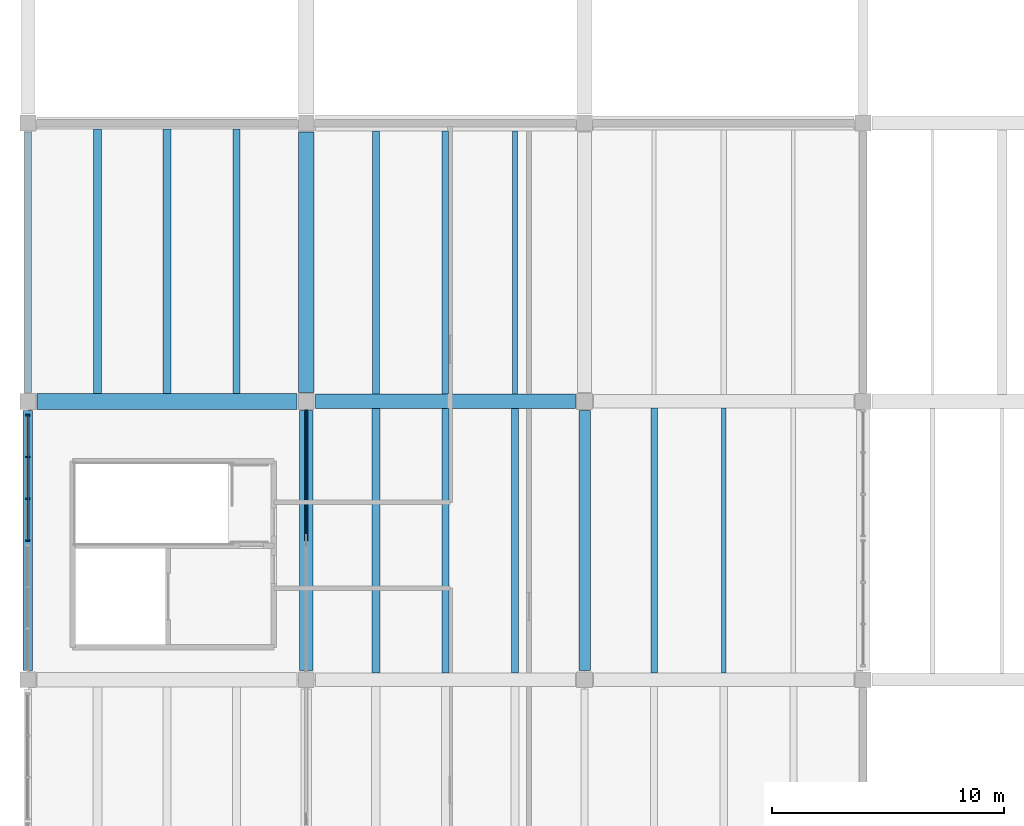
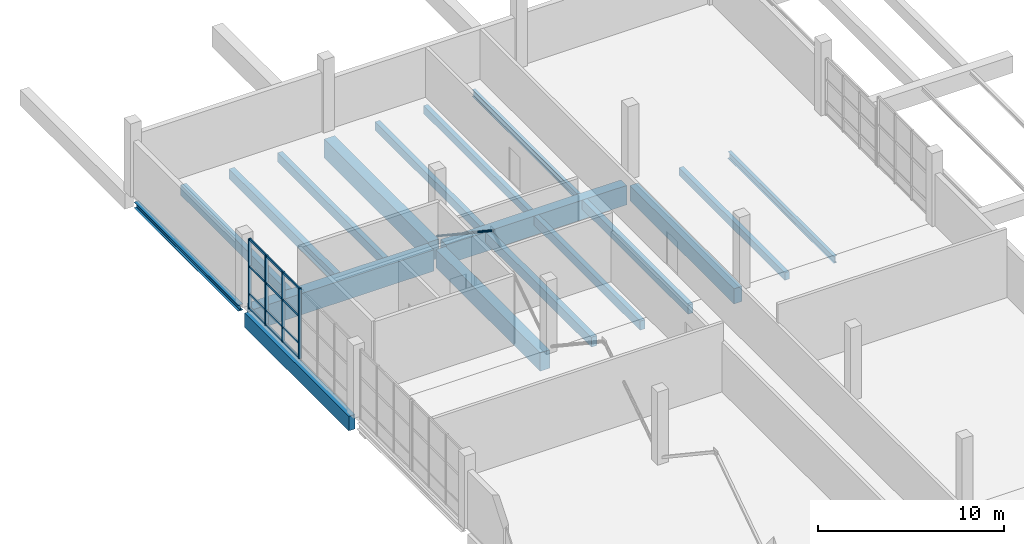
# One storey, part 14 of 49: 18 beams, 9 members, 1 element without a shape of its own.
"""IFC4 building model written with IfcOpenShell, lengths in metres."""

import ifcopenshell
import ifcopenshell.guid

model = None  # the IFC model being written
_history = None  # IfcOwnerHistory: only IFC2X3 demands one
_inside = {}  # id of a spatial element -> (the spatial element, [elements in it])
_under = {}  # id of a project, library or spatial element -> (it, [spatial elements below it])
_declared = {}  # id of a project -> (the project, [libraries it declares])
_typed = {}  # id of a type object -> (the type object, [elements of that type])
_made_of = {}  # id of a material, layer set ... -> (it, [elements and type objects made of it])


def new_model(schema):
    """Start an empty IFC model of exactly this schema.

    Asked for "IFC4X3", IfcOpenShell would pick the latest addendum, in which some entities
    have other attributes; the version numbers below select the first issue.
    IFC2X3 requires an IfcOwnerHistory on every rooted entity: one is made here for all.
    """
    global model, _history
    if schema == "IFC4X3":
        model = ifcopenshell.file(schema_version=(4, 3, 0, 0))
    else:
        model = ifcopenshell.file(schema=schema)
    _inside.clear()
    _under.clear()
    _declared.clear()
    _typed.clear()
    _made_of.clear()
    _history = None
    if model.schema == "IFC2X3":
        org = make("IfcOrganization", Name="unknown")
        user = make(
            "IfcPersonAndOrganization",
            ThePerson=make("IfcPerson", FamilyName="unknown"),
            TheOrganization=org,
        )
        app = make(
            "IfcApplication",
            ApplicationDeveloper=org,
            Version="unknown",
            ApplicationFullName="unknown",
            ApplicationIdentifier="unknown",
        )
        _history = make(
            "IfcOwnerHistory",
            OwningUser=user,
            OwningApplication=app,
            ChangeAction="ADDED",
            CreationDate=0,
        )
    return model


def make(cls, **values):
    """One entity of the class cls with the attributes given. An attribute that is None is left unset."""
    return model.create_entity(
        cls, **{name: value for name, value in values.items() if value is not None}
    )


def rooted(cls, **values):
    """An entity with a GlobalId (a new one), such as an element, a storey or a relation."""
    return make(cls, GlobalId=ifcopenshell.guid.new(), OwnerHistory=_history, **values)


def si_unit(unit_type, name, prefix=None):
    """IfcSIUnit, for example si_unit("LENGTHUNIT", "METRE", prefix="MILLI")."""
    return make("IfcSIUnit", UnitType=unit_type, Prefix=prefix, Name=name)


def assignment(units):
    """IfcUnitAssignment: the units of a project."""
    return None if units is None else make("IfcUnitAssignment", Units=units)


def point(xyz):
    """IfcCartesianPoint."""
    return None if xyz is None else make("IfcCartesianPoint", Coordinates=xyz)


def direction(xyz):
    """IfcDirection."""
    return None if xyz is None else make("IfcDirection", DirectionRatios=xyz)


def frame(location, z_axis=None, x_axis=None):
    """IfcAxis2Placement3D, a coordinate frame: its origin and axes. An axis left out is left unset."""
    return make(
        "IfcAxis2Placement3D",
        Location=point(location),
        Axis=direction(z_axis),
        RefDirection=direction(x_axis),
    )


def frame_2d(location, x_axis=None):
    """IfcAxis2Placement2D, a coordinate frame in the plane: its origin and x axis."""
    return make(
        "IfcAxis2Placement2D", Location=point(location), RefDirection=direction(x_axis)
    )


def origin():
    """The frame at (0, 0, 0) with its axes left unset."""
    return frame((0.0, 0.0, 0.0))


def origin_2d():
    """The frame at (0, 0) in the plane with its x axis left unset."""
    return frame_2d((0.0, 0.0))


def place(relative_to, where):
    """IfcLocalPlacement: puts the frame where relative to a parent placement (None: the world)."""
    return make(
        "IfcLocalPlacement", PlacementRelTo=relative_to, RelativePlacement=where
    )


def context(
    kind, dimensions, precision=None, world=None, true_north=None, identifier=None
):
    """IfcGeometricRepresentationContext, for example the 3D "Model" context."""
    return make(
        "IfcGeometricRepresentationContext",
        ContextIdentifier=identifier,
        ContextType=kind,
        CoordinateSpaceDimension=dimensions,
        Precision=precision,
        WorldCoordinateSystem=world,
        TrueNorth=true_north,
    )


def subcontext(parent, identifier, kind, view, scale=None):
    """IfcGeometricRepresentationSubContext, for example "Body" below "Model"."""
    return make(
        "IfcGeometricRepresentationSubContext",
        ContextIdentifier=identifier,
        ContextType=kind,
        ParentContext=parent,
        TargetScale=scale,
        TargetView=view,
    )


def project(units=None, contexts=None):
    """IfcProject with its units and contexts."""
    return rooted(
        "IfcProject",
        Name="project",
        RepresentationContexts=contexts,
        UnitsInContext=assignment(units),
    )


def spatial(cls, under=None, at=None, **own):
    """A site, building, storey or space (cls), placed at a placement, below another one or the project."""
    s = rooted(cls, ObjectPlacement=at, **own)
    if under is not None:
        _under.setdefault(under.id(), (under, []))[1].append(s)
    return s


def profile(cls, at=None, kind="AREA", **sizes):
    """A parametric profile (cls). Its sizes go by their IFC names, for example OverallWidth=200.0."""
    return make(cls, ProfileType=kind, Position=at, **sizes)


def rectangle(**sizes):
    """IfcRectangleProfileDef."""
    return profile("IfcRectangleProfileDef", **sizes)


def hollow_circle(**sizes):
    """IfcCircleHollowProfileDef."""
    return profile("IfcCircleHollowProfileDef", **sizes)


def i_section(**sizes):
    """IfcIShapeProfileDef."""
    return profile("IfcIShapeProfileDef", **sizes)


def extrude(swept, where, along, depth):
    """IfcExtrudedAreaSolid: the profile swept, set in the frame where, extruded along a direction by depth."""
    return make(
        "IfcExtrudedAreaSolid",
        SweptArea=swept,
        Position=where,
        ExtrudedDirection=direction(along),
        Depth=depth,
    )


def shape(context_of_items, identifier, shape_type, items):
    """IfcShapeRepresentation: the items that make up one representation, for example the "Body"."""
    return make(
        "IfcShapeRepresentation",
        ContextOfItems=context_of_items,
        RepresentationIdentifier=identifier,
        RepresentationType=shape_type,
        Items=items,
    )


def material(Name=None, Category=None):
    """IfcMaterial."""
    return make("IfcMaterial", Name=Name, Category=Category)


def material_profile(
    of_material, cross_section, Name=None, Category=None, Priority=None
):
    """IfcMaterialProfile: a cross section and its material."""
    return make(
        "IfcMaterialProfile",
        Name=Name,
        Material=of_material,
        Profile=cross_section,
        Priority=Priority,
        Category=Category,
    )


def profile_set(profiles, Name=None, composite=None):
    """IfcMaterialProfileSet."""
    return make(
        "IfcMaterialProfileSet",
        Name=Name,
        MaterialProfiles=profiles,
        CompositeProfile=composite,
    )


def made_of(thing, what):
    """Note that an element or type object is made of a material, layer set ...; save() writes the relation."""
    if what is not None:
        _made_of.setdefault(what.id(), (what, []))[1].append(thing)
    return thing


def type_object(cls, material=None, **own):
    """A type object (cls), such as IfcWallType, which elements share."""
    return made_of(rooted(cls, **own), material)


def element(
    cls,
    number,
    at=None,
    inside=None,
    cuts=None,
    type_object=None,
    material=None,
    context=None,
    identifier="Body",
    shape_type=None,
    held_by="IfcProductDefinitionShape",
    body=None,
    shapes=None,
    **own,
):
    """One element of the class cls, such as IfcWall. Its Tag is "e" and its number.

    at: its placement. inside: the storey or other place that contains it. cuts: it is an
    opening in that element (IfcRelVoidsElement). A single representation is given by context,
    identifier, shape_type and body (its items); several are given by shapes. held_by: the class
    of the entity that holds the representations. save() writes the other relations.
    """
    e = rooted(cls, Tag="e%d" % number, ObjectPlacement=at, **own)
    if body is not None:
        shapes = [shape(context, identifier, shape_type, body)]
    if shapes is not None:
        e.Representation = make(held_by, Representations=shapes)
    if inside is not None:
        _inside.setdefault(inside.id(), (inside, []))[1].append(e)
    if cuts is not None:
        rooted(
            "IfcRelVoidsElement", RelatingBuildingElement=cuts, RelatedOpeningElement=e
        )
    if type_object is not None:
        _typed.setdefault(type_object.id(), (type_object, []))[1].append(e)
    return made_of(e, material)


def aggregate(whole, parts):
    """IfcRelAggregates: a whole, such as a stair, and the parts it consists of."""
    return rooted("IfcRelAggregates", RelatingObject=whole, RelatedObjects=parts)


def save(model, path):
    """Write the relations noted so far, then the file.

    IfcRelAggregates (storeys below a building ...), IfcRelContainedInSpatialStructure (elements
    in a storey), IfcRelDefinesByType, IfcRelAssociatesMaterial and IfcRelDeclares: one each for
    every whole, place, type object, material and project.
    """
    for whole, parts in _under.values():
        aggregate(whole, parts)
    for where, things in _inside.values():
        rooted(
            "IfcRelContainedInSpatialStructure",
            RelatedElements=things,
            RelatingStructure=where,
        )
    for kind, things in _typed.values():
        rooted("IfcRelDefinesByType", RelatedObjects=things, RelatingType=kind)
    for what, things in _made_of.values():
        rooted("IfcRelAssociatesMaterial", RelatedObjects=things, RelatingMaterial=what)
    for by, libraries in _declared.values():
        rooted("IfcRelDeclares", RelatingContext=by, RelatedDefinitions=libraries)
    model.write(path)


model = new_model("IFC4")

# Units and contexts
model_context = context("Model", 3, precision=1e-05, world=origin(), true_north=direction((0.0, 1.0)))
body_context = subcontext(model_context, "Body", "Model", "MODEL_VIEW")
ifc_project = project(units=[si_unit("LENGTHUNIT", "METRE"), si_unit("AREAUNIT", "SQUARE_METRE"), si_unit("VOLUMEUNIT", "CUBIC_METRE"), si_unit("PLANEANGLEUNIT", "RADIAN"), si_unit("MASSUNIT", "GRAM", prefix="KILO")], contexts=[model_context])

# Site, building, storey
site_placement = place(None, origin())
site = spatial("IfcSite", under=ifc_project, at=site_placement, CompositionType="ELEMENT")
building_placement = place(site_placement, origin())
building = spatial("IfcBuilding", under=site, at=building_placement, Name="Kamomehara Wholesale Market", CompositionType="ELEMENT")
storey_placement = place(building_placement, frame((0.0, 0.0, 11.39990234375)))
storey = spatial("IfcBuildingStorey", under=building, at=storey_placement, Name="L02", CompositionType="ELEMENT", Elevation=11.39990234375)

# Beams
ifc_material_1 = material(Name="Precast concrete Fc45 (C40/50)", Category="concrete")
ifc_material_profile_1 = material_profile(ifc_material_1, rectangle(XDim=0.5, YDim=1.0, at=origin_2d()), Name="PC-GRD-500x1000")
ifc_profile_set_1 = profile_set([ifc_material_profile_1], Name="Precast concrete Fc45 (C40/50)")
beam_type_1 = type_object("IfcBeamType", Name="BM-PG1000", PredefinedType="T_BEAM", material=ifc_profile_set_1)
beam_1_placement = place(storey_placement, frame((24.0, 120.389892578125, -0.851806640625), z_axis=(0.0, 1.0, 0.0), x_axis=(-1.0, 0.0, 0.0)))
element("IfcBeam", 1, at=beam_1_placement, inside=storey, type_object=beam_type_1, Name="Beam PG-09 L02", PredefinedType="T_BEAM", context=body_context, shape_type="SweptSolid", body=[
    extrude(rectangle(XDim=0.5, YDim=1.0, at=origin_2d()), origin(), (0.0, 0.0, 1.0), 11.22021484375),
])
ifc_material_2 = material(Name="Precast concrete Fc45 (C40/50)", Category="concrete")
ifc_material_profile_2 = material_profile(ifc_material_2, rectangle(XDim=0.60009765625, YDim=1.199951171875, at=origin_2d()), Name="PC-GRD-600x1200")
ifc_profile_set_2 = profile_set([ifc_material_profile_2], Name="Precast concrete Fc45 (C40/50)")
beam_type_2 = type_object("IfcBeamType", Name="BM-PG1200", PredefinedType="T_BEAM", material=ifc_profile_set_2)
beam_2_placement = place(storey_placement, frame((12.0, 120.389892578125, -0.951904296875), z_axis=(0.0, 1.0, 0.0), x_axis=(-1.0, 0.0, 0.0)))
element("IfcBeam", 2, at=beam_2_placement, inside=storey, type_object=beam_type_2, Name="Beam PG-05 L02", PredefinedType="T_BEAM", context=body_context, shape_type="SweptSolid", body=[
    extrude(rectangle(XDim=0.60009765625, YDim=1.199951171875, at=origin_2d()), origin(), (0.0, 0.0, 1.0), 11.22021484375),
])
ifc_material_3 = material(Name="Precast concrete Fc45 (C40/50)", Category="concrete")
ifc_material_profile_3 = material_profile(ifc_material_3, rectangle(XDim=0.64990234375, YDim=1.25, at=origin_2d()), Name="PC-GRD-650x1250")
ifc_profile_set_3 = profile_set([ifc_material_profile_3], Name="Precast concrete Fc45 (C40/50)")
beam_type_3 = type_object("IfcBeamType", Name="BM-PG1250", PredefinedType="T_BEAM", material=ifc_profile_set_3)
beam_3_placement = place(storey_placement, frame((12.0, 132.389892578125, -0.976806640625), z_axis=(0.0, 1.0, 0.0), x_axis=(-1.0, 0.0, 0.0)))
element("IfcBeam", 3, at=beam_3_placement, inside=storey, type_object=beam_type_3, Name="Beam PG-04 L02", PredefinedType="T_BEAM", context=body_context, shape_type="SweptSolid", body=[
    extrude(rectangle(XDim=0.64990234375, YDim=1.25, at=origin_2d()), origin(), (0.0, 0.0, 1.0), 11.22021484375),
])
ifc_material_4 = material(Name="Precast concrete Fc45 (C40/50)", Category="concrete")
ifc_material_profile_4 = material_profile(ifc_material_4, rectangle(XDim=0.6201171875, YDim=1.280029296875, at=origin_2d()), Name="PC-GRD-620x1280")
ifc_profile_set_4 = profile_set([ifc_material_profile_4], Name="Precast concrete Fc45 (C40/50)")
beam_type_4 = type_object("IfcBeamType", Name="BM-PG1280", PredefinedType="T_BEAM", material=ifc_profile_set_4)
beam_4_placement = place(storey_placement, frame((12.389892578125, 132.0, -0.991943359375), z_axis=(1.0, 0.0, 0.0), x_axis=(0.0, 1.0, 0.0)))
element("IfcBeam", 4, at=beam_4_placement, inside=storey, type_object=beam_type_4, Name="Beam PG-13 L02", PredefinedType="T_BEAM", context=body_context, shape_type="SweptSolid", body=[
    extrude(rectangle(XDim=0.6201171875, YDim=1.280029296875, at=origin_2d()), origin(), (0.0, 0.0, 1.0), 11.22021484375),
])
ifc_material_5 = material(Name="Precast concrete Fc45 (C40/50)", Category="concrete")
ifc_material_profile_5 = material_profile(ifc_material_5, rectangle(XDim=0.699951171875, YDim=1.39990234375, at=origin_2d()), Name="PC-GRD-700x1400")
ifc_profile_set_5 = profile_set([ifc_material_profile_5], Name="Precast concrete Fc45 (C40/50)")
beam_type_5 = type_object("IfcBeamType", Name="BM-PG1400", PredefinedType="T_BEAM", material=ifc_profile_set_5)
beam_5_placement = place(storey_placement, frame((0.389892578125, 132.0, -1.052001953125), z_axis=(1.0, 0.0, 0.0), x_axis=(0.0, 1.0, 0.0)))
element("IfcBeam", 5, at=beam_5_placement, inside=storey, type_object=beam_type_5, Name="Beam PG-02 L02", PredefinedType="T_BEAM", context=body_context, shape_type="SweptSolid", body=[
    extrude(rectangle(XDim=0.699951171875, YDim=1.39990234375, at=origin_2d()), origin(), (0.0, 0.0, 1.0), 11.22021484375),
])
ifc_material_6 = material(Name="Precast concrete Fc45 (C40/50)", Category="concrete")
ifc_material_profile_6 = material_profile(ifc_material_6, rectangle(XDim=0.280029296875, YDim=0.5, at=origin_2d()), Name="PC-JST-280x500")
ifc_profile_set_6 = profile_set([ifc_material_profile_6], Name="Precast concrete Fc45 (C40/50)")
beam_type_6 = type_object("IfcBeamType", Name="BM-PJ500", PredefinedType="JOIST", material=ifc_profile_set_6)
beam_6_placement = place(storey_placement, frame((18.0, 132.31005859375, -0.601806640625), z_axis=(0.0, 1.0, 0.0), x_axis=(-1.0, 0.0, 0.0)))
element("IfcBeam", 6, at=beam_6_placement, inside=storey, type_object=beam_type_6, Name="Beam PJ-11 L02", PredefinedType="JOIST", context=body_context, shape_type="SweptSolid", body=[
    extrude(rectangle(XDim=0.280029296875, YDim=0.5, at=origin_2d()), origin(), (0.0, 0.0, 1.0), 11.33984375),
])
beam_7_placement = place(storey_placement, frame((27.0, 120.300048828125, -0.581787109375), z_axis=(0.0, 1.0, 0.0), x_axis=(-1.0, 0.0, 0.0)))
element("IfcBeam", 7, at=beam_7_placement, inside=storey, type_object=beam_type_6, Name="Beam PJ-11 L02", PredefinedType="JOIST", context=body_context, shape_type="SweptSolid", body=[
    extrude(rectangle(XDim=0.280029296875, YDim=0.5, at=origin_2d()), origin(), (0.0, 0.0, 1.0), 11.409912109375),
])
ifc_material_7 = material(Name="Precast concrete Fc45 (C40/50)", Category="concrete")
ifc_material_profile_7 = material_profile(ifc_material_7, rectangle(XDim=0.300048828125, YDim=0.550048828125, at=origin_2d()), Name="PC-JST-300x550")
ifc_profile_set_7 = profile_set([ifc_material_profile_7], Name="Precast concrete Fc45 (C40/50)")
beam_type_7 = type_object("IfcBeamType", Name="BM-PJ550", PredefinedType="JOIST", material=ifc_profile_set_7)
beam_8_placement = place(storey_placement, frame((15.0, 132.31005859375, -0.626953125), z_axis=(0.0, 1.0, 0.0), x_axis=(-1.0, 0.0, 0.0)))
element("IfcBeam", 8, at=beam_8_placement, inside=storey, type_object=beam_type_7, Name="Beam PJ-06 L02", PredefinedType="JOIST", context=body_context, shape_type="SweptSolid", body=[
    extrude(rectangle(XDim=0.300048828125, YDim=0.550048828125, at=origin_2d()), origin(), (0.0, 0.0, 1.0), 11.33984375),
])
ifc_material_8 = material(Name="Precast concrete Fc45 (C40/50)", Category="concrete")
ifc_material_profile_8 = material_profile(ifc_material_8, rectangle(XDim=0.320068359375, YDim=0.60009765625, at=origin_2d()), Name="PC-JST-320x600")
ifc_profile_set_8 = profile_set([ifc_material_profile_8], Name="Precast concrete Fc45 (C40/50)")
beam_type_8 = type_object("IfcBeamType", Name="BM-PJ600", PredefinedType="JOIST", material=ifc_profile_set_8)
beam_9_placement = place(storey_placement, frame((21.0, 120.2900390625, -0.65185546875), z_axis=(0.0, 1.0, 0.0), x_axis=(-1.0, 0.0, 0.0)))
element("IfcBeam", 9, at=beam_9_placement, inside=storey, type_object=beam_type_8, Name="Beam PJ-05 L02", PredefinedType="JOIST", context=body_context, shape_type="SweptSolid", body=[
    extrude(rectangle(XDim=0.320068359375, YDim=0.60009765625, at=origin_2d()), origin(), (0.0, 0.0, 1.0), 11.39990234375),
])
ifc_material_9 = material(Name="Precast concrete Fc45 (C40/50)", Category="concrete")
ifc_material_profile_9 = material_profile(ifc_material_9, rectangle(XDim=0.300048828125, YDim=0.60009765625, at=origin_2d()), Name="PC-JST-300x600")
ifc_profile_set_9 = profile_set([ifc_material_profile_9], Name="Precast concrete Fc45 (C40/50)")
beam_type_9 = type_object("IfcBeamType", Name="BM-PJ600B", PredefinedType="JOIST", material=ifc_profile_set_9)
for number, where, z_axis, x_axis, name in (
    (10, (9.0, 132.35009765625, -0.65185546875), (0.0, 1.0, 0.0), (-1.0, 0.0, 0.0), "Beam PJ-10 L02"),
    (11, (18.0, 120.2900390625, -0.65185546875), (0.0, 1.0, 0.0), (-1.0, 0.0, 0.0), "Beam PJ-10 L02"),
):
    element("IfcBeam", number, at=place(storey_placement, frame(where, z_axis=z_axis, x_axis=x_axis)), inside=storey, type_object=beam_type_9, Name=name, PredefinedType="JOIST", context=body_context, shape_type="SweptSolid", body=[
        extrude(rectangle(XDim=0.300048828125, YDim=0.60009765625, at=origin_2d()), origin(), (0.0, 0.0, 1.0), 11.39990234375),
    ])
ifc_material_10 = material(Name="Precast concrete Fc45 (C40/50)", Category="concrete")
ifc_material_profile_10 = material_profile(ifc_material_10, rectangle(XDim=0.35009765625, YDim=0.64990234375, at=origin_2d()), Name="PC-JST-350x650")
ifc_profile_set_10 = profile_set([ifc_material_profile_10], Name="Precast concrete Fc45 (C40/50)")
beam_type_10 = type_object("IfcBeamType", Name="BM-PJ650", PredefinedType="JOIST", material=ifc_profile_set_10)
for number, where, z_axis, x_axis, name in (
    (12, (6.0, 132.35009765625, -0.677001953125), (0.0, 1.0, 0.0), (-1.0, 0.0, 0.0), "Beam PJ-04 L02"),
    (13, (15.0, 120.2900390625, -0.677001953125), (0.0, 1.0, 0.0), (-1.0, 0.0, 0.0), "Beam PJ-04 L02"),
):
    element("IfcBeam", number, at=place(storey_placement, frame(where, z_axis=z_axis, x_axis=x_axis)), inside=storey, type_object=beam_type_10, Name=name, PredefinedType="JOIST", context=body_context, shape_type="SweptSolid", body=[
        extrude(rectangle(XDim=0.35009765625, YDim=0.64990234375, at=origin_2d()), origin(), (0.0, 0.0, 1.0), 11.39990234375),
    ])
ifc_material_11 = material(Name="Precast concrete Fc45 (C40/50)", Category="concrete")
ifc_material_profile_11 = material_profile(ifc_material_11, rectangle(XDim=0.340087890625, YDim=0.679931640625, at=origin_2d()), Name="PC-JST-340x680")
ifc_profile_set_11 = profile_set([ifc_material_profile_11], Name="Precast concrete Fc45 (C40/50)")
beam_type_11 = type_object("IfcBeamType", Name="BM-PJ680", PredefinedType="JOIST", material=ifc_profile_set_11)
beam_10_placement = place(storey_placement, frame((3.0, 132.35009765625, -0.69189453125), z_axis=(0.0, 1.0, 0.0), x_axis=(-1.0, 0.0, 0.0)))
element("IfcBeam", 14, at=beam_10_placement, inside=storey, type_object=beam_type_11, Name="Beam PJ-09 L02", PredefinedType="JOIST", context=body_context, shape_type="SweptSolid", body=[
    extrude(rectangle(XDim=0.340087890625, YDim=0.679931640625, at=origin_2d()), origin(), (0.0, 0.0, 1.0), 11.39990234375),
])
ifc_material_12 = material(Name="Precast concrete Fc45 (C40/50)", Category="concrete")
ifc_material_profile_12 = material_profile(ifc_material_12, rectangle(XDim=0.39990234375, YDim=0.949951171875, at=origin_2d()), Name="PC-SPN-400x950")
ifc_profile_set_12 = profile_set([ifc_material_profile_12], Name="Precast concrete Fc45 (C40/50)")
beam_type_12 = type_object("IfcBeamType", Name="BM-SPN950-EXT", PredefinedType="SPANDREL", material=ifc_profile_set_12)
beam_11_placement = place(storey_placement, frame((0.0, 120.389892578125, -0.826904296875), z_axis=(0.0, 1.0, 0.0), x_axis=(-1.0, 0.0, 0.0)))
element("IfcBeam", 15, at=beam_11_placement, inside=storey, type_object=beam_type_12, Name="Beam SPN-01E L02", PredefinedType="SPANDREL", context=body_context, shape_type="SweptSolid", body=[
    extrude(rectangle(XDim=0.39990234375, YDim=0.949951171875, at=origin_2d()), origin(), (0.0, 0.0, 1.0), 11.22021484375),
])
ifc_material_13 = material(Name="Steel SN490B", Category="steel")
ifc_material_profile_13 = material_profile(ifc_material_13, i_section(OverallWidth=0.300048828125, OverallDepth=0.389892578125, WebThickness=0.010009765625, FlangeThickness=0.01611328125, FilletRadius=0.01806640625, at=origin_2d()), Name="H-390x300x10x16")
ifc_profile_set_13 = profile_set([ifc_material_profile_13], Name="Steel SN490B")
beam_type_13 = type_object("IfcBeamType", Name="BM-ST-H390-EXT", PredefinedType="SPANDREL", material=ifc_profile_set_13)
beam_12_placement = place(storey_placement, frame((0.0, 132.389892578125, -0.546875), z_axis=(0.0, 1.0, 0.0), x_axis=(-1.0, 0.0, 0.0)))
element("IfcBeam", 16, at=beam_12_placement, inside=storey, type_object=beam_type_13, Name="Beam SJ-03E L02", PredefinedType="SPANDREL", context=body_context, shape_type="SweptSolid", body=[
    extrude(i_section(OverallWidth=0.300048828125, OverallDepth=0.389892578125, WebThickness=0.010009765625, FlangeThickness=0.01611328125, FilletRadius=0.01806640625, at=origin_2d()), origin(), (0.0, 0.0, 1.0), 11.22021484375),
])
ifc_material_14 = material(Name="Steel SN400B", Category="steel")
ifc_material_profile_14 = material_profile(ifc_material_14, i_section(OverallWidth=0.199951171875, OverallDepth=0.449951171875, WebThickness=0.009033203125, FlangeThickness=0.013916015625, FilletRadius=0.012939453125, at=origin_2d()), Name="H-450x200x9x14")
ifc_profile_set_14 = profile_set([ifc_material_profile_14], Name="Steel SN400B")
beam_type_14 = type_object("IfcBeamType", Name="BM-ST-H450", PredefinedType="JOIST", material=ifc_profile_set_14)
beam_13_placement = place(storey_placement, frame((21.0, 132.31005859375, -0.576904296875), z_axis=(0.0, 1.0, 0.0), x_axis=(-1.0, 0.0, 0.0)))
element("IfcBeam", 17, at=beam_13_placement, inside=storey, type_object=beam_type_14, Name="Beam SJ-01 L02", PredefinedType="JOIST", context=body_context, shape_type="SweptSolid", body=[
    extrude(i_section(OverallWidth=0.199951171875, OverallDepth=0.449951171875, WebThickness=0.009033203125, FlangeThickness=0.013916015625, FilletRadius=0.012939453125, at=origin_2d()), origin(), (0.0, 0.0, 1.0), 11.33984375),
])
beam_14_placement = place(storey_placement, frame((30.0, 120.300048828125, -0.556884765625), z_axis=(0.0, 1.0, 0.0), x_axis=(-1.0, 0.0, 0.0)))
element("IfcBeam", 18, at=beam_14_placement, inside=storey, type_object=beam_type_14, Name="Beam SJ-01 L02", PredefinedType="JOIST", context=body_context, shape_type="SweptSolid", body=[
    extrude(i_section(OverallWidth=0.199951171875, OverallDepth=0.449951171875, WebThickness=0.009033203125, FlangeThickness=0.013916015625, FilletRadius=0.012939453125, at=origin_2d()), origin(), (0.0, 0.0, 1.0), 11.409912109375),
])

# Curtain wall, members
ifc_material_15 = material(Name="Anodised aluminium 6063-T5", Category="aluminium")
curtain_wall_type = type_object("IfcCurtainWallType", Name="CW-UN-10", PredefinedType="NOTDEFINED", material=ifc_material_15)
curtain_wall_placement = place(storey_placement, origin())
curtain_wall = element("IfcCurtainWall", 19, at=curtain_wall_placement, inside=storey, type_object=curtain_wall_type, Name="Unitised curtain wall CW-008", PredefinedType="NOTDEFINED")
ifc_material_16 = material(Name="Anodised aluminium 6063-T5", Category="aluminium")
ifc_material_profile_15 = material_profile(ifc_material_16, rectangle(XDim=0.074951171875, YDim=0.179931640625, at=origin_2d()), Name="ALU-MUL-75x180")
ifc_profile_set_15 = profile_set([ifc_material_profile_15], Name="Anodised aluminium 6063-T5")
member_type_1 = type_object("IfcMemberType", Name="CW-MUL-180", PredefinedType="MULLION", material=ifc_profile_set_15)
member_1_placement = place(storey_placement, frame((0.0, 126.0, 0.0), z_axis=(0.0, 0.0, 1.0), x_axis=(0.0, 1.0, 0.0)))
member_1 = element("IfcMember", 20, at=member_1_placement, type_object=member_type_1, Name="Mullion CW-008.0", PredefinedType="MULLION", context=body_context, shape_type="SweptSolid", body=[
    extrude(rectangle(XDim=0.074951171875, YDim=0.179931640625, at=origin_2d()), origin(), (0.0, 0.0, 1.0), 4.60009765625),
])
member_2_placement = place(storey_placement, frame((0.0, 127.800048828125, 0.0), z_axis=(0.0, 0.0, 1.0), x_axis=(0.0, 1.0, 0.0)))
member_2 = element("IfcMember", 21, at=member_2_placement, type_object=member_type_1, Name="Mullion CW-008.1", PredefinedType="MULLION", context=body_context, shape_type="SweptSolid", body=[
    extrude(rectangle(XDim=0.074951171875, YDim=0.179931640625, at=origin_2d()), origin(), (0.0, 0.0, 1.0), 4.60009765625),
])
member_3_placement = place(storey_placement, frame((0.0, 129.60009765625, 0.0), z_axis=(0.0, 0.0, 1.0), x_axis=(0.0, 1.0, 0.0)))
member_3 = element("IfcMember", 22, at=member_3_placement, type_object=member_type_1, Name="Mullion CW-008.2", PredefinedType="MULLION", context=body_context, shape_type="SweptSolid", body=[
    extrude(rectangle(XDim=0.074951171875, YDim=0.179931640625, at=origin_2d()), origin(), (0.0, 0.0, 1.0), 4.60009765625),
])
member_4_placement = place(storey_placement, frame((0.0, 131.39990234375, 0.0), z_axis=(0.0, 0.0, 1.0), x_axis=(0.0, 1.0, 0.0)))
member_4 = element("IfcMember", 23, at=member_4_placement, type_object=member_type_1, Name="Mullion CW-008.3", PredefinedType="MULLION", context=body_context, shape_type="SweptSolid", body=[
    extrude(rectangle(XDim=0.074951171875, YDim=0.179931640625, at=origin_2d()), origin(), (0.0, 0.0, 1.0), 4.60009765625),
])
ifc_material_17 = material(Name="Anodised aluminium 6063-T5", Category="aluminium")
ifc_material_profile_16 = material_profile(ifc_material_17, rectangle(XDim=0.074951171875, YDim=0.14990234375, at=origin_2d()), Name="ALU-TRN-75x150")
ifc_profile_set_16 = profile_set([ifc_material_profile_16], Name="Anodised aluminium 6063-T5")
member_type_2 = type_object("IfcMemberType", Name="CW-TRN-150", PredefinedType="USERDEFINED", material=ifc_profile_set_16)
member_5_placement = place(storey_placement, frame((0.0, 126.0, 0.0400390625), z_axis=(0.0, 1.0, 0.0), x_axis=(-1.0, 0.0, 0.0)))
member_5 = element("IfcMember", 24, at=member_5_placement, type_object=member_type_2, Name="Transom CW-008.0", ObjectType="TRANSOM", PredefinedType="USERDEFINED", context=body_context, shape_type="SweptSolid", body=[
    extrude(rectangle(XDim=0.074951171875, YDim=0.14990234375, at=origin_2d()), origin(), (0.0, 0.0, 1.0), 5.39990234375),
])
member_6_placement = place(storey_placement, frame((0.0, 126.0, 0.9501953125), z_axis=(0.0, 1.0, 0.0), x_axis=(-1.0, 0.0, 0.0)))
member_6 = element("IfcMember", 25, at=member_6_placement, type_object=member_type_2, Name="Transom CW-008.1", ObjectType="TRANSOM", PredefinedType="USERDEFINED", context=body_context, shape_type="SweptSolid", body=[
    extrude(rectangle(XDim=0.074951171875, YDim=0.14990234375, at=origin_2d()), origin(), (0.0, 0.0, 1.0), 5.39990234375),
])
member_7_placement = place(storey_placement, frame((0.0, 126.0, 2.775146484375), z_axis=(0.0, 1.0, 0.0), x_axis=(-1.0, 0.0, 0.0)))
member_7 = element("IfcMember", 26, at=member_7_placement, type_object=member_type_2, Name="Transom CW-008.2", ObjectType="TRANSOM", PredefinedType="USERDEFINED", context=body_context, shape_type="SweptSolid", body=[
    extrude(rectangle(XDim=0.074951171875, YDim=0.14990234375, at=origin_2d()), origin(), (0.0, 0.0, 1.0), 5.39990234375),
])
member_8_placement = place(storey_placement, frame((0.0, 126.0, 4.56005859375), z_axis=(0.0, 1.0, 0.0), x_axis=(-1.0, 0.0, 0.0)))
member_8 = element("IfcMember", 27, at=member_8_placement, type_object=member_type_2, Name="Transom CW-008.3", ObjectType="TRANSOM", PredefinedType="USERDEFINED", context=body_context, shape_type="SweptSolid", body=[
    extrude(rectangle(XDim=0.074951171875, YDim=0.14990234375, at=origin_2d()), origin(), (0.0, 0.0, 1.0), 5.39990234375),
])
aggregate(curtain_wall, [member_1, member_2, member_3, member_4, member_5, member_6, member_7, member_8])

# Member
ifc_material_18 = material(Name="Steel SN400B", Category="steel")
ifc_material_profile_17 = material_profile(ifc_material_18, hollow_circle(Radius=0.06982421875, WallThickness=0.006591796875, at=origin_2d()), Name="CHS-139.8x6.6")
ifc_profile_set_17 = profile_set([ifc_material_profile_17], Name="Steel SN400B")
member_type_3 = type_object("IfcMemberType", Name="MEM-BR-CHS139", PredefinedType="BRACE", material=ifc_profile_set_17)
member_9_placement = place(storey_placement, frame((12.0, 132.0, 0.2001953125), z_axis=(0.0, -0.832050294338, 0.554700196225), x_axis=(1.0, 0.0, 0.0)))
element("IfcMember", 28, at=member_9_placement, inside=storey, type_object=member_type_3, Name="Lateral frame brace V3 120B", PredefinedType="BRACE", context=body_context, shape_type="SweptSolid", body=[
    extrude(hollow_circle(Radius=0.06982421875, WallThickness=0.006591796875, at=origin_2d()), origin(), (0.0, 0.0, 1.0), 7.211181640625),
])

save(model, "model.ifc")
